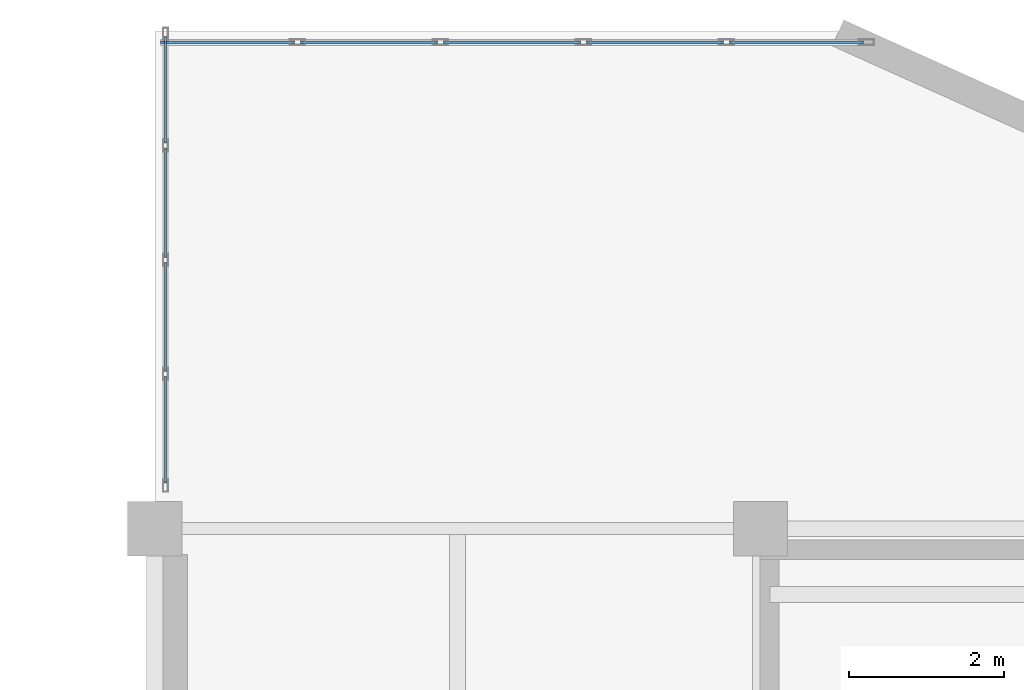
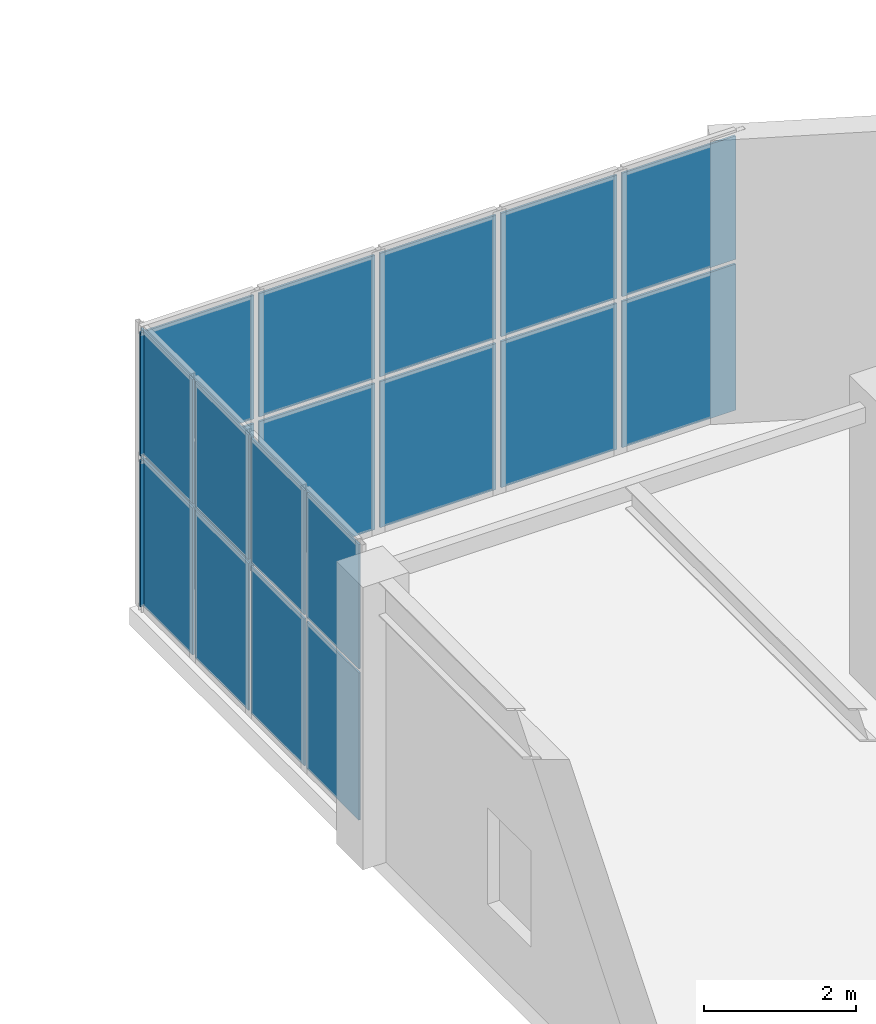
# One storey, part 56 of 72: 18 plates, 2 elements without a shape of their own.
"""IFC4 building model written with IfcOpenShell, lengths in metres."""

from ifc_helpers import new_model, si_unit, direction, frame, origin, origin_2d, place, context, subcontext, project, spatial, rectangle, extrude, material, layer, layer_set, type_object, element, aggregate, save


model = new_model("IFC4")

# Units and contexts
model_context = context("Model", 3, precision=1e-05, world=origin(), true_north=direction((0.0, 1.0)))
body_context = subcontext(model_context, "Body", "Model", "MODEL_VIEW")
ifc_project = project(units=[si_unit("LENGTHUNIT", "METRE"), si_unit("AREAUNIT", "SQUARE_METRE"), si_unit("VOLUMEUNIT", "CUBIC_METRE"), si_unit("PLANEANGLEUNIT", "RADIAN"), si_unit("MASSUNIT", "GRAM", prefix="KILO")], contexts=[model_context])

# Site, building, storey
site_placement = place(None, origin())
site = spatial("IfcSite", under=ifc_project, at=site_placement, CompositionType="ELEMENT")
building_placement = place(site_placement, origin())
building = spatial("IfcBuilding", under=site, at=building_placement, Name="Xicomal Pleat Aquarium", CompositionType="ELEMENT")
storey_placement = place(building_placement, frame((0.0, 0.0, 10.5)))
storey = spatial("IfcBuildingStorey", under=building, at=storey_placement, Name="L03", CompositionType="ELEMENT", Elevation=10.5)

# Curtain wall, plates
ifc_material_1 = material(Name="Bronze anodized aluminium 6063-T6", Category="aluminium")
ifc_layer_1 = layer(ifc_material_1, 0.159912109375)
ifc_layer_set_1 = layer_set([ifc_layer_1], Name="Bronze anodized aluminium 6063-T6")
curtain_wall_type_1 = type_object("IfcCurtainWallType", Name="CW-SYS-03", PredefinedType="NOTDEFINED", material=ifc_layer_set_1)
curtain_wall_1_placement = place(storey_placement, origin())
curtain_wall_1 = element("IfcCurtainWall", 1, at=curtain_wall_1_placement, inside=storey, type_object=curtain_wall_type_1, Name="L03 unitised curtain wall CW-L03-156", PredefinedType="NOTDEFINED")
ifc_material_2 = material(Name="Insulated low-E laminated glass", Category="glass")
ifc_layer_2 = layer(ifc_material_2, 0.028076171875)
ifc_layer_set_2 = layer_set([ifc_layer_2], Name="Insulated low-E laminated glass")
plate_type_1 = type_object("IfcPlateType", Name="CWP-GLZ-28", PredefinedType="CURTAIN_PANEL", material=ifc_layer_set_2)
plate_1_placement = place(storey_placement, frame((133.93994140625, 99.67138671875, 0.06494140625), z_axis=(0.0, 0.0, 1.0), x_axis=(0.0, 1.0, 0.0)))
plate_1 = element("IfcPlate", 2, at=plate_1_placement, type_object=plate_type_1, Name="CW-03 panel 1.1", PredefinedType="CURTAIN_PANEL", context=body_context, shape_type="SweptSolid", body=[
    extrude(rectangle(XDim=1.37255859375, YDim=0.028076171875, at=origin_2d()), origin(), (0.0, 0.0, 1.0), 2.364501953125),
])
plate_2_placement = place(storey_placement, frame((133.93994140625, 99.67138671875, 2.494384765625), z_axis=(0.0, 0.0, 1.0), x_axis=(0.0, 1.0, 0.0)))
plate_2 = element("IfcPlate", 3, at=plate_2_placement, type_object=plate_type_1, Name="CW-03 panel 1.2", PredefinedType="CURTAIN_PANEL", context=body_context, shape_type="SweptSolid", body=[
    extrude(rectangle(XDim=1.37255859375, YDim=0.028076171875, at=origin_2d()), origin(), (0.0, 0.0, 1.0), 2.00048828125),
])
plate_3_placement = place(storey_placement, frame((133.93994140625, 101.125, 0.06494140625), z_axis=(0.0, 0.0, 1.0), x_axis=(0.0, 1.0, 0.0)))
plate_3 = element("IfcPlate", 4, at=plate_3_placement, type_object=plate_type_1, Name="CW-03 panel 2.1", PredefinedType="CURTAIN_PANEL", context=body_context, shape_type="SweptSolid", body=[
    extrude(rectangle(XDim=1.405029296875, YDim=0.028076171875, at=origin_2d()), origin(), (0.0, 0.0, 1.0), 2.364501953125),
])
plate_4_placement = place(storey_placement, frame((133.93994140625, 101.125, 2.494384765625), z_axis=(0.0, 0.0, 1.0), x_axis=(0.0, 1.0, 0.0)))
plate_4 = element("IfcPlate", 5, at=plate_4_placement, type_object=plate_type_1, Name="CW-03 panel 2.2", PredefinedType="CURTAIN_PANEL", context=body_context, shape_type="SweptSolid", body=[
    extrude(rectangle(XDim=1.405029296875, YDim=0.028076171875, at=origin_2d()), origin(), (0.0, 0.0, 1.0), 2.00048828125),
])
plate_5_placement = place(storey_placement, frame((133.93994140625, 102.594970703125, 0.06494140625), z_axis=(0.0, 0.0, 1.0), x_axis=(0.0, 1.0, 0.0)))
plate_5 = element("IfcPlate", 6, at=plate_5_placement, type_object=plate_type_1, Name="CW-03 panel 3.1", PredefinedType="CURTAIN_PANEL", context=body_context, shape_type="SweptSolid", body=[
    extrude(rectangle(XDim=1.405029296875, YDim=0.028076171875, at=origin_2d()), origin(), (0.0, 0.0, 1.0), 2.364501953125),
])
plate_6_placement = place(storey_placement, frame((133.93994140625, 102.594970703125, 2.494384765625), z_axis=(0.0, 0.0, 1.0), x_axis=(0.0, 1.0, 0.0)))
plate_6 = element("IfcPlate", 7, at=plate_6_placement, type_object=plate_type_1, Name="CW-03 panel 3.2", PredefinedType="CURTAIN_PANEL", context=body_context, shape_type="SweptSolid", body=[
    extrude(rectangle(XDim=1.405029296875, YDim=0.028076171875, at=origin_2d()), origin(), (0.0, 0.0, 1.0), 2.00048828125),
])
plate_7_placement = place(storey_placement, frame((133.93994140625, 104.048583984375, 0.06494140625), z_axis=(0.0, 0.0, 1.0), x_axis=(0.0, 1.0, 0.0)))
plate_7 = element("IfcPlate", 8, at=plate_7_placement, type_object=plate_type_1, Name="CW-03 panel 4.1", PredefinedType="CURTAIN_PANEL", context=body_context, shape_type="SweptSolid", body=[
    extrude(rectangle(XDim=1.37255859375, YDim=0.028076171875, at=origin_2d()), origin(), (0.0, 0.0, 1.0), 2.364501953125),
])
plate_8_placement = place(storey_placement, frame((133.93994140625, 104.048583984375, 2.494384765625), z_axis=(0.0, 0.0, 1.0), x_axis=(0.0, 1.0, 0.0)))
plate_8 = element("IfcPlate", 9, at=plate_8_placement, type_object=plate_type_1, Name="CW-03 panel 4.2", PredefinedType="CURTAIN_PANEL", context=body_context, shape_type="SweptSolid", body=[
    extrude(rectangle(XDim=1.37255859375, YDim=0.028076171875, at=origin_2d()), origin(), (0.0, 0.0, 1.0), 2.00048828125),
])
aggregate(curtain_wall_1, [plate_1, plate_2, plate_3, plate_4, plate_5, plate_6, plate_7, plate_8])

ifc_material_3 = material(Name="Bronze anodized aluminium 6063-T6", Category="aluminium")
ifc_layer_3 = layer(ifc_material_3, 0.159912109375)
ifc_layer_set_3 = layer_set([ifc_layer_3], Name="Bronze anodized aluminium 6063-T6")
curtain_wall_type_2 = type_object("IfcCurtainWallType", Name="CW-SYS-08", PredefinedType="NOTDEFINED", material=ifc_layer_set_3)
curtain_wall_2_placement = place(storey_placement, origin())
curtain_wall_2 = element("IfcCurtainWall", 10, at=curtain_wall_2_placement, inside=storey, type_object=curtain_wall_type_2, Name="L03 unitised curtain wall CW-L03-157", PredefinedType="NOTDEFINED")
ifc_material_4 = material(Name="Insulated low-E laminated glass", Category="glass")
ifc_layer_4 = layer(ifc_material_4, 0.031982421875)
ifc_layer_set_4 = layer_set([ifc_layer_4], Name="Insulated low-E laminated glass")
plate_type_2 = type_object("IfcPlateType", Name="CWP-GLZ-32", PredefinedType="CURTAIN_PANEL", material=ifc_layer_set_4)
plate_9_placement = place(storey_placement, frame((134.73876953125, 104.659912109375, 0.074951171875), z_axis=(0.0, 0.0, 1.0), x_axis=(1.0, 0.0, 0.0)))
plate_9 = element("IfcPlate", 11, at=plate_9_placement, type_object=plate_type_2, Name="CW-08 panel 1.1", PredefinedType="CURTAIN_PANEL", context=body_context, shape_type="SweptSolid", body=[
    extrude(rectangle(XDim=1.7275390625, YDim=0.031982421875, at=origin_2d()), origin(), (0.0, 0.0, 1.0), 2.349609375),
])
plate_10_placement = place(storey_placement, frame((134.73876953125, 104.659912109375, 2.49951171875), z_axis=(0.0, 0.0, 1.0), x_axis=(1.0, 0.0, 0.0)))
plate_10 = element("IfcPlate", 12, at=plate_10_placement, type_object=plate_type_2, Name="CW-08 panel 1.2", PredefinedType="CURTAIN_PANEL", context=body_context, shape_type="SweptSolid", body=[
    extrude(rectangle(XDim=1.7275390625, YDim=0.031982421875, at=origin_2d()), origin(), (0.0, 0.0, 1.0), 1.985595703125),
])
plate_11_placement = place(storey_placement, frame((136.56005859375, 104.659912109375, 0.074951171875), z_axis=(0.0, 0.0, 1.0), x_axis=(1.0, 0.0, 0.0)))
plate_11 = element("IfcPlate", 13, at=plate_11_placement, type_object=plate_type_2, Name="CW-08 panel 2.1", PredefinedType="CURTAIN_PANEL", context=body_context, shape_type="SweptSolid", body=[
    extrude(rectangle(XDim=1.764892578125, YDim=0.031982421875, at=origin_2d()), origin(), (0.0, 0.0, 1.0), 2.349609375),
])
plate_12_placement = place(storey_placement, frame((136.56005859375, 104.659912109375, 2.49951171875), z_axis=(0.0, 0.0, 1.0), x_axis=(1.0, 0.0, 0.0)))
plate_12 = element("IfcPlate", 14, at=plate_12_placement, type_object=plate_type_2, Name="CW-08 panel 2.2", PredefinedType="CURTAIN_PANEL", context=body_context, shape_type="SweptSolid", body=[
    extrude(rectangle(XDim=1.764892578125, YDim=0.031982421875, at=origin_2d()), origin(), (0.0, 0.0, 1.0), 1.985595703125),
])
plate_13_placement = place(storey_placement, frame((138.39990234375, 104.659912109375, 0.074951171875), z_axis=(0.0, 0.0, 1.0), x_axis=(1.0, 0.0, 0.0)))
plate_13 = element("IfcPlate", 15, at=plate_13_placement, type_object=plate_type_2, Name="CW-08 panel 3.1", PredefinedType="CURTAIN_PANEL", context=body_context, shape_type="SweptSolid", body=[
    extrude(rectangle(XDim=1.764892578125, YDim=0.031982421875, at=origin_2d()), origin(), (0.0, 0.0, 1.0), 2.349609375),
])
plate_14_placement = place(storey_placement, frame((138.39990234375, 104.659912109375, 2.49951171875), z_axis=(0.0, 0.0, 1.0), x_axis=(1.0, 0.0, 0.0)))
plate_14 = element("IfcPlate", 16, at=plate_14_placement, type_object=plate_type_2, Name="CW-08 panel 3.2", PredefinedType="CURTAIN_PANEL", context=body_context, shape_type="SweptSolid", body=[
    extrude(rectangle(XDim=1.764892578125, YDim=0.031982421875, at=origin_2d()), origin(), (0.0, 0.0, 1.0), 1.985595703125),
])
plate_15_placement = place(storey_placement, frame((140.239990234375, 104.659912109375, 0.074951171875), z_axis=(0.0, 0.0, 1.0), x_axis=(1.0, 0.0, 0.0)))
plate_15 = element("IfcPlate", 17, at=plate_15_placement, type_object=plate_type_2, Name="CW-08 panel 4.1", PredefinedType="CURTAIN_PANEL", context=body_context, shape_type="SweptSolid", body=[
    extrude(rectangle(XDim=1.764892578125, YDim=0.031982421875, at=origin_2d()), origin(), (0.0, 0.0, 1.0), 2.349609375),
])
plate_16_placement = place(storey_placement, frame((140.239990234375, 104.659912109375, 2.49951171875), z_axis=(0.0, 0.0, 1.0), x_axis=(1.0, 0.0, 0.0)))
plate_16 = element("IfcPlate", 18, at=plate_16_placement, type_object=plate_type_2, Name="CW-08 panel 4.2", PredefinedType="CURTAIN_PANEL", context=body_context, shape_type="SweptSolid", body=[
    extrude(rectangle(XDim=1.764892578125, YDim=0.031982421875, at=origin_2d()), origin(), (0.0, 0.0, 1.0), 1.985595703125),
])
plate_17_placement = place(storey_placement, frame((142.061279296875, 104.659912109375, 0.074951171875), z_axis=(0.0, 0.0, 1.0), x_axis=(1.0, 0.0, 0.0)))
plate_17 = element("IfcPlate", 19, at=plate_17_placement, type_object=plate_type_2, Name="CW-08 panel 5.1", PredefinedType="CURTAIN_PANEL", context=body_context, shape_type="SweptSolid", body=[
    extrude(rectangle(XDim=1.7275390625, YDim=0.031982421875, at=origin_2d()), origin(), (0.0, 0.0, 1.0), 2.349609375),
])
plate_18_placement = place(storey_placement, frame((142.061279296875, 104.659912109375, 2.49951171875), z_axis=(0.0, 0.0, 1.0), x_axis=(1.0, 0.0, 0.0)))
plate_18 = element("IfcPlate", 20, at=plate_18_placement, type_object=plate_type_2, Name="CW-08 panel 5.2", PredefinedType="CURTAIN_PANEL", context=body_context, shape_type="SweptSolid", body=[
    extrude(rectangle(XDim=1.7275390625, YDim=0.031982421875, at=origin_2d()), origin(), (0.0, 0.0, 1.0), 1.985595703125),
])
aggregate(curtain_wall_2, [plate_9, plate_10, plate_11, plate_12, plate_13, plate_14, plate_15, plate_16, plate_17, plate_18])

save(model, "model.ifc")
